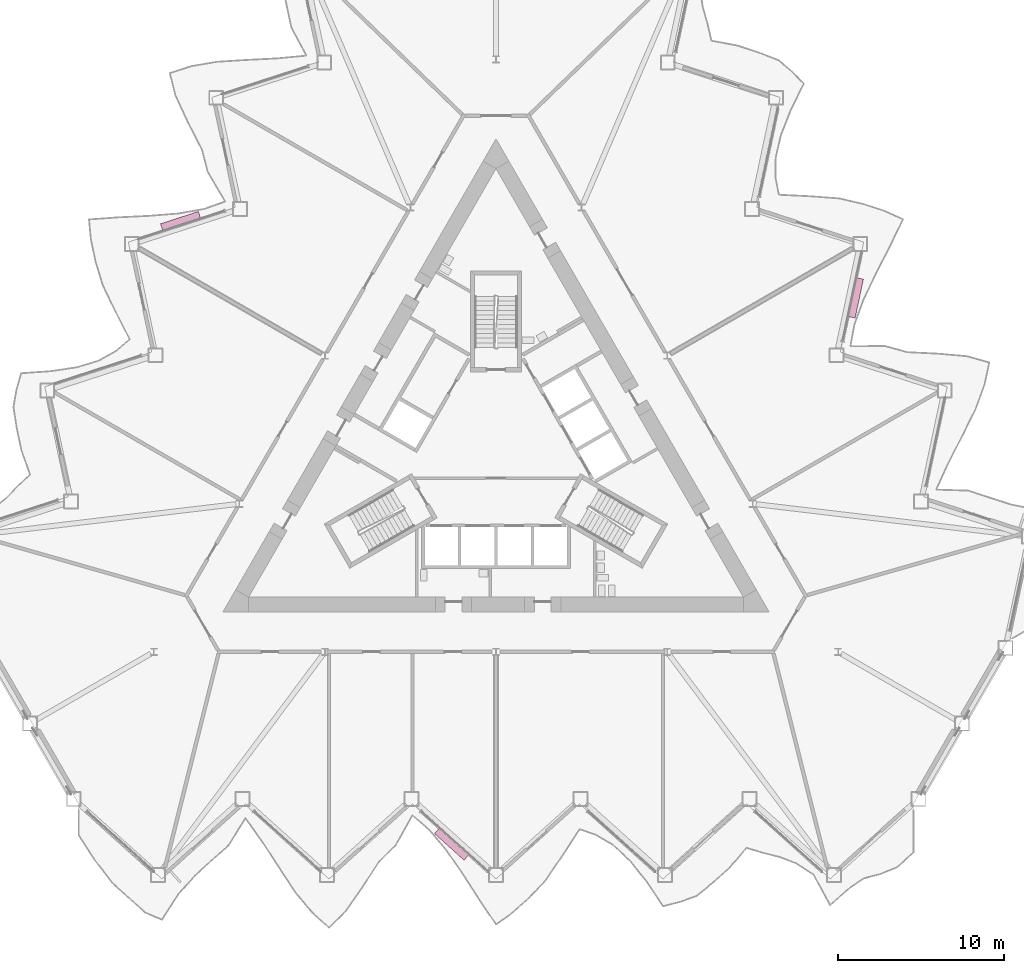
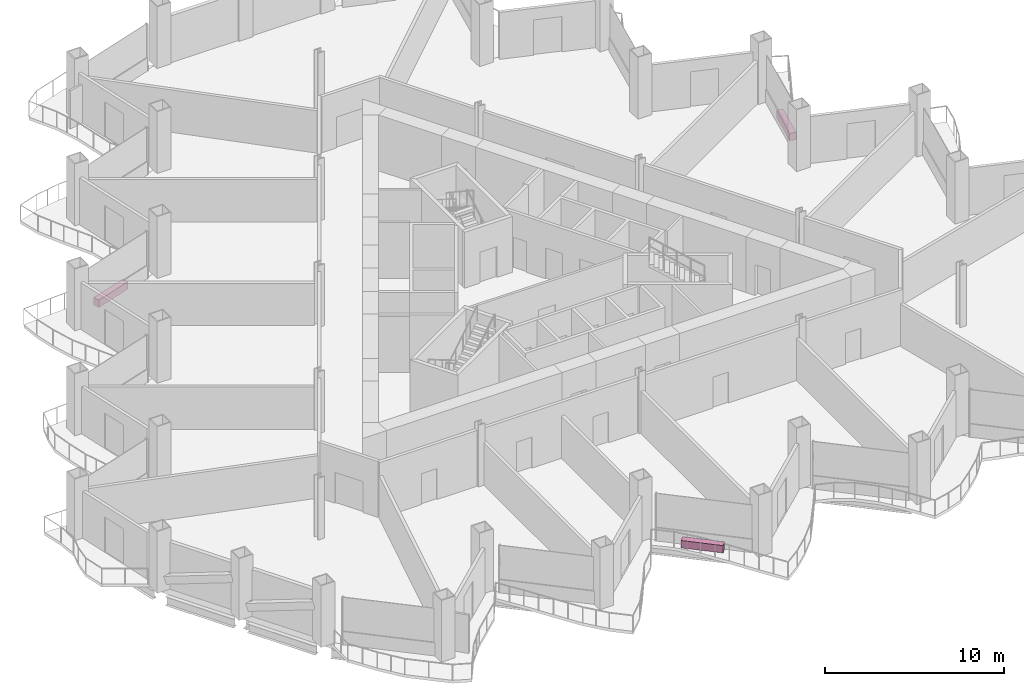
# One storey, part 21 of 21: 3 furniture elements.
"""IFC4 building model written with IfcOpenShell, lengths in metres."""

from ifc_helpers import new_model, si_unit, direction, frame, origin, origin_2d, place, context, subcontext, project, spatial, rectangle, extrude, material, type_object, element, save


model = new_model("IFC4")

# Units and contexts
model_context = context("Model", 3, precision=1e-05, world=origin(), true_north=direction((0.0, 1.0)))
body_context = subcontext(model_context, "Body", "Model", "MODEL_VIEW")
ifc_project = project(units=[si_unit("LENGTHUNIT", "METRE"), si_unit("AREAUNIT", "SQUARE_METRE"), si_unit("VOLUMEUNIT", "CUBIC_METRE"), si_unit("PLANEANGLEUNIT", "RADIAN"), si_unit("MASSUNIT", "GRAM", prefix="KILO")], contexts=[model_context])

# Site, building, storey
site_placement = place(None, origin())
site = spatial("IfcSite", under=ifc_project, at=site_placement, CompositionType="ELEMENT")
building_placement = place(site_placement, origin())
building = spatial("IfcBuilding", under=site, at=building_placement, Name="Cormorant Prow Tower", CompositionType="ELEMENT")
storey_placement = place(building_placement, frame((0.0, 0.0, 133.199951171875)))
storey = spatial("IfcBuildingStorey", under=building, at=storey_placement, Name="L28", CompositionType="ELEMENT", Elevation=133.199951171875)

# Furniture
ifc_material = material(Name="Terracotta", Category="masonry")
furniture_type = type_object("IfcFurnitureType", Name="Balcony planter 2400x400x500", AssemblyPlace="NOTDEFINED", PredefinedType="USERDEFINED", material=ifc_material)
for number, where, z_axis, x_axis, name in (
    (1, (-2.68896484375, -23.55224609375, 0.0), (0.0, 0.0, 1.0), (0.743144807376, -0.669130626463, 0.0), "Balcony planter S04"),
    (2, (21.741455078125, 9.447509765625, 0.0), (0.0, 0.0, 1.0), (0.207911666798, 0.978147605839, 0.0), "Balcony planter ENE04"),
    (3, (-19.052490234375, 14.10498046875, 0.0), (0.0, 0.0, 1.0), (-0.95105653418, -0.309016939332, 0.0), "Balcony planter WNW04"),
):
    element("IfcFurniture", number, at=place(storey_placement, frame(where, z_axis=z_axis, x_axis=x_axis)), inside=storey, type_object=furniture_type, Name=name, ObjectType="PLANTER", PredefinedType="USERDEFINED", context=body_context, shape_type="SweptSolid", body=[
        extrude(rectangle(XDim=2.39990234375, YDim=0.39990234375, at=origin_2d()), origin(), (0.0, 0.0, 1.0), 0.5),
    ])

save(model, "model.ifc")
